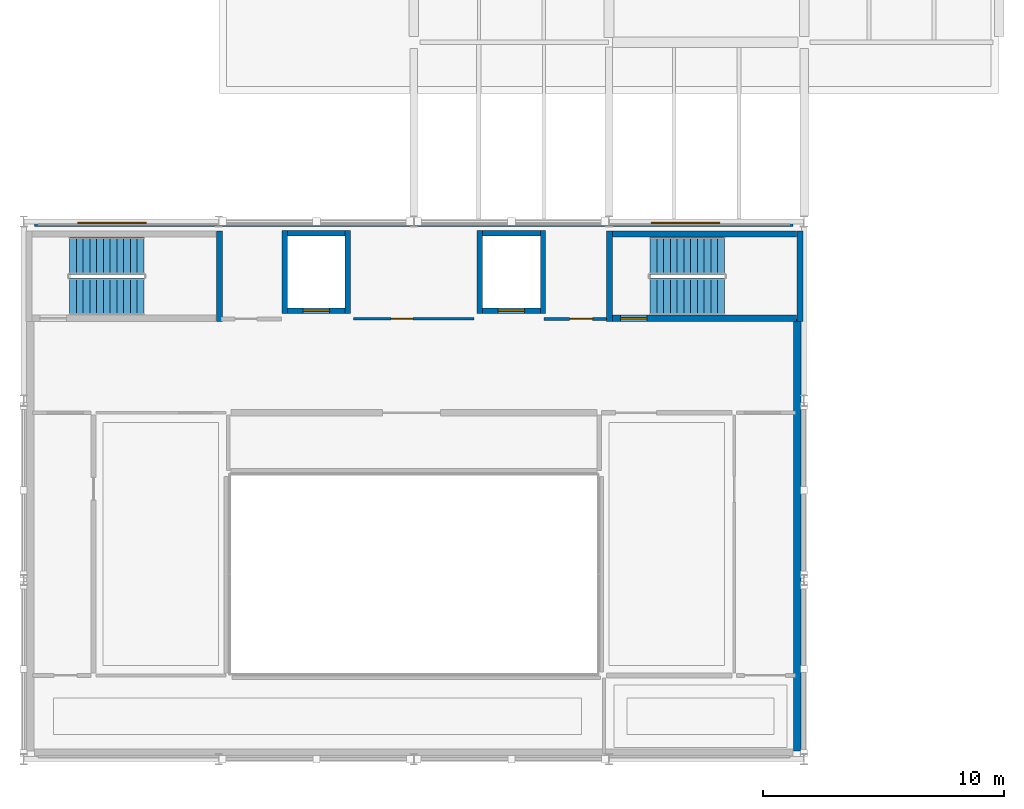
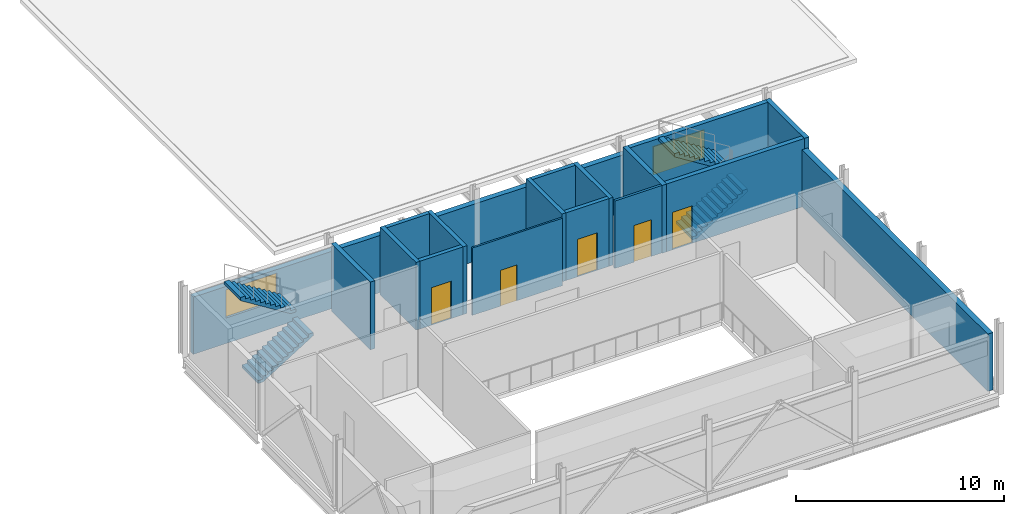
# One storey, part 4 of 7: 17 walls, 5 doors, 4 stair flights, 2 windows, 7 openings, 2 elements without a shape of their own.
"""IFC4 building model written with IfcOpenShell, lengths in metres."""

from ifc_helpers import new_model, si_unit, direction, frame, frame_2d, origin, place, context, subcontext, project, spatial, polyline, rectangle, outline, extrude, material, layer, layer_set, type_object, element, fill, aggregate, save


model = new_model("IFC4")

# Units and contexts
model_context = context("Model", 3, precision=1e-05, world=origin(), true_north=direction((0.0, 1.0)))
body_context = subcontext(model_context, "Body", "Model", "MODEL_VIEW")
ifc_project = project(units=[si_unit("LENGTHUNIT", "METRE"), si_unit("AREAUNIT", "SQUARE_METRE"), si_unit("VOLUMEUNIT", "CUBIC_METRE"), si_unit("PLANEANGLEUNIT", "RADIAN"), si_unit("MASSUNIT", "GRAM", prefix="KILO")], contexts=[model_context])

# Site, building, storey
site_placement = place(None, origin())
site = spatial("IfcSite", under=ifc_project, at=site_placement, CompositionType="ELEMENT")
building_placement = place(site_placement, origin())
building = spatial("IfcBuilding", under=site, at=building_placement, Name="Kaelora Sail Theatre", CompositionType="ELEMENT")
storey_placement = place(building_placement, frame((0.0, 0.0, 23.39990234375)))
storey = spatial("IfcBuildingStorey", under=building, at=storey_placement, Name="L05", CompositionType="ELEMENT", Elevation=23.39990234375)

# Wall
ifc_material_1 = material(Name="Concrete C40/50", Category="concrete")
ifc_layer_1 = layer(ifc_material_1, 0.25)
ifc_layer_set_1 = layer_set([ifc_layer_1], Name="Concrete C40/50")
wall_type_1 = type_object("IfcWallType", Name="ARC-WL-CW-250", PredefinedType="SHEAR", material=ifc_layer_set_1)
wall_1_placement = place(storey_placement, frame((33.925048828125, 79.199951171875, 0.0), z_axis=(0.0, 0.0, 1.0), x_axis=(0.0, 1.0, 0.0)))
element("IfcWall", 1, at=wall_1_placement, inside=storey, type_object=wall_type_1, Name="Stair shaft ST-K1 wall L05-E", PredefinedType="SHEAR", context=body_context, shape_type="SweptSolid", body=[
    extrude(rectangle(XDim=3.75, YDim=0.25, at=frame_2d((1.875, 0.0))), origin(), (0.0, 0.0, 1.0), 3.97998046875),
])

# Wall, opening, door
wall_2_placement = place(storey_placement, frame((50.2548828125, 79.324951171875, 0.0), z_axis=(0.0, 0.0, 1.0), x_axis=(1.0, 0.0, 0.0)))
wall_2 = element("IfcWall", 2, at=wall_2_placement, inside=storey, type_object=wall_type_1, Name="Stair shaft ST-K5 wall L05-S", PredefinedType="SHEAR", context=body_context, shape_type="SweptSolid", body=[
    extrude(rectangle(XDim=7.64013671875, YDim=0.25, at=frame_2d((3.820068359375, 0.0))), origin(), (0.0, 0.0, 1.0), 3.97998046875),
])
opening_1_placement = place(wall_2_placement, frame((0.320068359375, 0.0, 0.0)))
opening_1 = element("IfcOpeningElement", 3, at=opening_1_placement, cuts=wall_2, Name="Opening FD-02", PredefinedType="OPENING", context=body_context, shape_type="SweptSolid", body=[
    extrude(rectangle(XDim=1.10009765625, YDim=2.199951171875, at=frame_2d((0.550048828125, 1.10009765625))), frame((0.0, 0.135, 0.0), z_axis=(0.0, -1.0, 0.0), x_axis=(1.0, 0.0, 0.0)), (0.0, 0.0, 1.0), 0.27),
])
ifc_material_2 = material(Name="Acoustic steel single stair/lobby fire door EI 90-C", Category="steel")
door_type_1 = type_object("IfcDoorType", Name="ARC-DR-FD-02", OperationType="NOTDEFINED", PredefinedType="DOOR", material=ifc_material_2)
door_1_placement = place(opening_1_placement, origin())
door_1 = element("IfcDoor", 4, at=door_1_placement, inside=storey, type_object=door_type_1, Name="Stair ST-K5 door (L05)", OperationType="SINGLE_SWING_LEFT", OverallHeight=2.199951171875, OverallWidth=1.10009765625, PredefinedType="DOOR", context=body_context, shape_type="SweptSolid", body=[
    extrude(rectangle(XDim=1.10009765625, YDim=2.199951171875, at=frame_2d((0.550048828125, 1.10009765625))), frame((0.0, 0.02490234375, 0.0), z_axis=(0.0, -1.0, 0.0), x_axis=(1.0, 0.0, 0.0)), (0.0, 0.0, 1.0), 0.050048828125),
])
fill(opening_1, door_1)

# Walls
wall_3_placement = place(storey_placement, frame((50.2548828125, 82.824951171875, 0.0), z_axis=(0.0, 0.0, 1.0), x_axis=(1.0, 0.0, 0.0)))
element("IfcWall", 5, at=wall_3_placement, inside=storey, type_object=wall_type_1, Name="Stair shaft ST-K5 wall L05-N", PredefinedType="SHEAR", context=body_context, shape_type="SweptSolid", body=[
    extrude(rectangle(XDim=7.64013671875, YDim=0.25, at=frame_2d((3.820068359375, 0.0))), origin(), (0.0, 0.0, 1.0), 3.97998046875),
])
for number, where, z_axis, x_axis, name in (
    (6, (50.125, 79.199951171875, 0.0), (0.0, 0.0, 1.0), (0.0, 1.0, 0.0), "Stair shaft ST-K5 wall L05-W"),
    (7, (58.02490234375, 79.199951171875, 0.0), (0.0, 0.0, 1.0), (0.0, 1.0, 0.0), "Stair shaft ST-K5 wall L05-E"),
):
    element("IfcWall", number, at=place(storey_placement, frame(where, z_axis=z_axis, x_axis=x_axis)), inside=storey, type_object=wall_type_1, Name=name, PredefinedType="SHEAR", context=body_context, shape_type="SweptSolid", body=[
        extrude(rectangle(XDim=3.75, YDim=0.25, at=frame_2d((1.875, 0.0))), origin(), (0.0, 0.0, 1.0), 3.97998046875),
    ])
ifc_material_3 = material(Name="Concrete C40/50", Category="concrete")
ifc_layer_2 = layer(ifc_material_3, 0.300048828125)
ifc_layer_set_2 = layer_set([ifc_layer_2], Name="Concrete C40/50")
wall_type_2 = type_object("IfcWallType", Name="ARC-WL-EW-300", PredefinedType="SOLIDWALL", material=ifc_layer_set_2)
wall_4_placement = place(storey_placement, frame((57.919921875, 61.35009765625, 0.0), z_axis=(0.0, 0.0, 1.0), x_axis=(0.0, 1.0, 0.0)))
element("IfcWall", 8, at=wall_4_placement, inside=storey, type_object=wall_type_2, Name="Fly Tower East Acoustic Stage-House Wall (L05)", PredefinedType="SOLIDWALL", context=body_context, shape_type="SweptSolid", body=[
    extrude(rectangle(XDim=17.949951171875, YDim=0.300048828125, at=frame_2d((8.97509765625, 0.0))), origin(), (0.0, 0.0, 1.0), 3.360107421875),
])

# Wall, openings, windows
wall_5_placement = place(storey_placement, frame((26.25, 83.280029296875, 0.0), z_axis=(0.0, 0.0, 1.0), x_axis=(1.0, 0.0, 0.0)))
wall_5 = element("IfcWall", 9, at=wall_5_placement, inside=storey, type_object=wall_type_2, Name="Fly Tower North Stage-House Wall (L05)", PredefinedType="SOLIDWALL", context=body_context, shape_type="SweptSolid", body=[
    extrude(rectangle(XDim=31.5, YDim=0.300048828125, at=frame_2d((15.75, 0.0))), origin(), (0.0, 0.0, 1.0), 3.360107421875),
])
opening_2_placement = place(wall_5_placement, frame((1.800048828125, 0.0, 1.5)))
opening_2 = element("IfcOpeningElement", 10, at=opening_2_placement, cuts=wall_5, Name="Opening W-20", PredefinedType="OPENING", context=body_context, shape_type="SweptSolid", body=[
    extrude(rectangle(XDim=2.85009765625, YDim=1.64990234375, at=frame_2d((1.425048828125, 0.824951171875))), frame((0.0, 0.159902, 0.0), z_axis=(0.0, -1.0, 0.0), x_axis=(1.0, 0.0, 0.0)), (0.0, 0.0, 1.0), 0.320049),
])
opening_3_placement = place(wall_5_placement, frame((25.60009765625, 0.0, 1.5)))
opening_3 = element("IfcOpeningElement", 11, at=opening_3_placement, cuts=wall_5, Name="Opening W-20", PredefinedType="OPENING", context=body_context, shape_type="SweptSolid", body=[
    extrude(rectangle(XDim=2.85009765625, YDim=1.64990234375, at=frame_2d((1.425048828125, 0.824951171875))), frame((0.0, 0.159902, 0.0), z_axis=(0.0, -1.0, 0.0), x_axis=(1.0, 0.0, 0.0)), (0.0, 0.0, 1.0), 0.320049),
])
ifc_material_4 = material(Name="Thermally broken aluminium and low-E double glazing", Category="aluminium")
window_type = type_object("IfcWindowType", Name="ARC-WIN-W-20", PartitioningType="SINGLE_PANEL", PredefinedType="WINDOW", material=ifc_material_4)
window_1_placement = place(opening_2_placement, origin())
window_1 = element("IfcWindow", 12, at=window_1_placement, inside=storey, type_object=window_type, Name="Stage-House North Clerestory L05-1", OverallHeight=1.64990234375, OverallWidth=2.85009765625, PartitioningType="SINGLE_PANEL", PredefinedType="WINDOW", context=body_context, shape_type="SweptSolid", body=[
    extrude(rectangle(XDim=2.85009765625, YDim=1.64990234375, at=frame_2d((1.425048828125, 0.824951171875))), frame((0.0, 0.030029296875, 0.0), z_axis=(0.0, -1.0, 0.0), x_axis=(1.0, 0.0, 0.0)), (0.0, 0.0, 1.0), 0.06005859375),
])
fill(opening_2, window_1)
window_2_placement = place(opening_3_placement, origin())
window_2 = element("IfcWindow", 13, at=window_2_placement, inside=storey, type_object=window_type, Name="Stage-House North Clerestory L05-2", OverallHeight=1.64990234375, OverallWidth=2.85009765625, PartitioningType="SINGLE_PANEL", PredefinedType="WINDOW", context=body_context, shape_type="SweptSolid", body=[
    extrude(rectangle(XDim=2.85009765625, YDim=1.64990234375, at=frame_2d((1.425048828125, 0.824951171875))), frame((0.0, 0.030029296875, 0.0), z_axis=(0.0, -1.0, 0.0), x_axis=(1.0, 0.0, 0.0)), (0.0, 0.0, 1.0), 0.06005859375),
])
fill(opening_3, window_2)

# Wall, opening, door
ifc_material_5 = material(Name="Sanitary moisture-resistant partition 100 mm", Category="gypsum")
ifc_layer_3 = layer(ifc_material_5, 0.10009765625)
ifc_layer_set_3 = layer_set([ifc_layer_3], Name="Sanitary moisture-resistant partition 100 mm")
wall_type_3 = type_object("IfcWallType", Name="ARC-WL-PT-100", PredefinedType="PARTITIONING", material=ifc_layer_set_3)
wall_6_placement = place(storey_placement, frame((39.5, 79.300048828125, 0.0), z_axis=(0.0, 0.0, 1.0), x_axis=(1.0, 0.0, 0.0)))
wall_6 = element("IfcWall", 14, at=wall_6_placement, inside=storey, type_object=wall_type_3, Name="Interior acoustic partition L05-COR-FLY/L05-WC-ACC", PredefinedType="PARTITIONING", context=body_context, shape_type="SweptSolid", body=[
    extrude(rectangle(XDim=5.0, YDim=0.10009765625, at=frame_2d((2.5, 0.0))), origin(), (0.0, 0.0, 1.0), 3.960205078125),
])
opening_4_placement = place(wall_6_placement, frame((1.56005859375, 0.0, 0.0)))
opening_4 = element("IfcOpeningElement", 15, at=opening_4_placement, cuts=wall_6, Name="Opening ID-03", PredefinedType="OPENING", context=body_context, shape_type="SweptSolid", body=[
    extrude(rectangle(XDim=0.89990234375, YDim=2.10009765625, at=frame_2d((0.449951171875, 1.050048828125))), frame((0.0, 0.060049, 0.0), z_axis=(0.0, -1.0, 0.0), x_axis=(1.0, 0.0, 0.0)), (0.0, 0.0, 1.0), 0.120098),
])
ifc_material_6 = material(Name="Accessible sanitary laminate door", Category="timber")
door_type_2 = type_object("IfcDoorType", Name="ARC-DR-ID-03", OperationType="NOTDEFINED", PredefinedType="DOOR", material=ifc_material_6)
door_2_placement = place(opening_4_placement, origin())
door_2 = element("IfcDoor", 16, at=door_2_placement, inside=storey, type_object=door_type_2, Name="Interior door L05-COR-FLY to L05-WC-ACC", OperationType="SINGLE_SWING_LEFT", OverallHeight=2.10009765625, OverallWidth=0.89990234375, PredefinedType="DOOR", context=body_context, shape_type="SweptSolid", body=[
    extrude(rectangle(XDim=0.89990234375, YDim=2.10009765625, at=frame_2d((0.449951171875, 1.050048828125))), frame((0.0, 0.02490234375, 0.0), z_axis=(0.0, -1.0, 0.0), x_axis=(1.0, 0.0, 0.0)), (0.0, 0.0, 1.0), 0.050048828125),
])
fill(opening_4, door_2)

ifc_material_7 = material(Name="Dressing room acoustic partition 130 mm", Category="gypsum")
ifc_layer_4 = layer(ifc_material_7, 0.1298828125)
ifc_layer_set_4 = layer_set([ifc_layer_4], Name="Dressing room acoustic partition 130 mm")
wall_type_4 = type_object("IfcWallType", Name="ARC-WL-PT-130", PredefinedType="PARTITIONING", material=ifc_layer_set_4)
wall_7_placement = place(storey_placement, frame((47.39990234375, 79.300048828125, 0.0), z_axis=(0.0, 0.0, 1.0), x_axis=(1.0, 0.0, 0.0)))
wall_7 = element("IfcWall", 17, at=wall_7_placement, inside=storey, type_object=wall_type_4, Name="Interior acoustic partition L05-COR-FLY/L05-ARC-STO", PredefinedType="PARTITIONING", context=body_context, shape_type="SweptSolid", body=[
    extrude(rectangle(XDim=2.60009765625, YDim=0.1298828125, at=frame_2d((1.300048828125, 0.0))), origin(), (0.0, 0.0, 1.0), 3.960205078125),
])
opening_5_placement = place(wall_7_placement, frame((1.070068359375, 0.0, 0.0)))
opening_5 = element("IfcOpeningElement", 18, at=opening_5_placement, cuts=wall_7, Name="Opening ID-02", PredefinedType="OPENING", context=body_context, shape_type="SweptSolid", body=[
    extrude(rectangle(XDim=0.949951171875, YDim=2.14990234375, at=frame_2d((0.47509765625, 1.074951171875))), frame((0.0, 0.074941, 0.0), z_axis=(0.0, -1.0, 0.0), x_axis=(1.0, 0.0, 0.0)), (0.0, 0.0, 1.0), 0.149883),
])
ifc_material_8 = material(Name="Timber dressing and office single door", Category="wood")
door_type_3 = type_object("IfcDoorType", Name="ARC-DR-ID-02", OperationType="NOTDEFINED", PredefinedType="DOOR", material=ifc_material_8)
door_3_placement = place(opening_5_placement, origin())
door_3 = element("IfcDoor", 19, at=door_3_placement, inside=storey, type_object=door_type_3, Name="Interior door L05-COR-FLY to L05-ARC-STO", OperationType="SINGLE_SWING_LEFT", OverallHeight=2.14990234375, OverallWidth=0.949951171875, PredefinedType="DOOR", context=body_context, shape_type="SweptSolid", body=[
    extrude(rectangle(XDim=0.949951171875, YDim=2.14990234375, at=frame_2d((0.47509765625, 1.074951171875))), frame((0.0, 0.02490234375, 0.0), z_axis=(0.0, -1.0, 0.0), x_axis=(1.0, 0.0, 0.0)), (0.0, 0.0, 1.0), 0.050048828125),
])
fill(opening_5, door_3)

ifc_material_9 = material(Name="Concrete C40/50", Category="concrete")
ifc_layer_5 = layer(ifc_material_9, 0.219970703125)
ifc_layer_set_5 = layer_set([ifc_layer_5], Name="Concrete C40/50")
wall_type_5 = type_object("IfcWallType", Name="ARC-WL-SW-220", PredefinedType="SOLIDWALL", material=ifc_layer_set_5)
wall_8_placement = place(storey_placement, frame((36.75, 79.639892578125, 0.0), z_axis=(0.0, 0.0, 1.0), x_axis=(1.0, 0.0, 0.0)))
wall_8 = element("IfcWall", 20, at=wall_8_placement, inside=storey, type_object=wall_type_5, Name="Lift FFL-01 shaft wall L05-S", PredefinedType="SOLIDWALL", context=body_context, shape_type="SweptSolid", body=[
    extrude(rectangle(XDim=2.39990234375, YDim=0.219970703125, at=frame_2d((1.199951171875, 0.0))), origin(), (0.0, 0.0, 1.0), 3.97998046875),
])
opening_6_placement = place(wall_8_placement, frame((0.64990234375, 0.0, 0.0)))
opening_6 = element("IfcOpeningElement", 21, at=opening_6_placement, cuts=wall_8, Name="Opening LD-FFL", PredefinedType="OPENING", context=body_context, shape_type="SweptSolid", body=[
    extrude(rectangle(XDim=1.10009765625, YDim=2.199951171875, at=frame_2d((0.550048828125, 1.10009765625))), frame((0.0, 0.119863, 0.0), z_axis=(0.0, -1.0, 0.0), x_axis=(1.0, 0.0, 0.0)), (0.0, 0.0, 1.0), 0.239971),
])
ifc_material_10 = material(Name="Stainless steel firefighting lift landing door EI 120", Category="steel")
door_type_4 = type_object("IfcDoorType", Name="ARC-DR-LD-FFL", OperationType="NOTDEFINED", PredefinedType="DOOR", material=ifc_material_10)
door_4_placement = place(opening_6_placement, origin())
door_4 = element("IfcDoor", 22, at=door_4_placement, inside=storey, type_object=door_type_4, Name="Lift FFL-01 sliding landing door (L05)", OperationType="SLIDING_TO_LEFT", OverallHeight=2.199951171875, OverallWidth=1.10009765625, PredefinedType="DOOR", context=body_context, shape_type="SweptSolid", body=[
    extrude(rectangle(XDim=1.10009765625, YDim=2.199951171875, at=frame_2d((0.550048828125, 1.10009765625))), frame((0.0, 0.02490234375, 0.0), z_axis=(0.0, -1.0, 0.0), x_axis=(1.0, 0.0, 0.0)), (0.0, 0.0, 1.0), 0.050048828125),
])
fill(opening_6, door_4)

# Walls
wall_9_placement = place(storey_placement, frame((36.75, 82.860107421875, 0.0), z_axis=(0.0, 0.0, 1.0), x_axis=(1.0, 0.0, 0.0)))
element("IfcWall", 23, at=wall_9_placement, inside=storey, type_object=wall_type_5, Name="Lift FFL-01 shaft wall L05-N", PredefinedType="SOLIDWALL", context=body_context, shape_type="SweptSolid", body=[
    extrude(rectangle(XDim=2.39990234375, YDim=0.219970703125, at=frame_2d((1.199951171875, 0.0))), origin(), (0.0, 0.0, 1.0), 3.97998046875),
])
for number, where, z_axis, x_axis, name in (
    (24, (36.639892578125, 79.530029296875, 0.0), (0.0, 0.0, 1.0), (0.0, 1.0, 0.0), "Lift FFL-01 shaft wall L05-W"),
    (25, (39.260009765625, 79.530029296875, 0.0), (0.0, 0.0, 1.0), (0.0, 1.0, 0.0), "Lift FFL-01 shaft wall L05-E"),
):
    element("IfcWall", number, at=place(storey_placement, frame(where, z_axis=z_axis, x_axis=x_axis)), inside=storey, type_object=wall_type_5, Name=name, PredefinedType="SOLIDWALL", context=body_context, shape_type="SweptSolid", body=[
        extrude(rectangle(XDim=3.43994140625, YDim=0.219970703125, at=frame_2d((1.719970703125, 0.0))), origin(), (0.0, 0.0, 1.0), 3.97998046875),
    ])

# Wall, opening, door
wall_10_placement = place(storey_placement, frame((44.85009765625, 79.639892578125, 0.0), z_axis=(0.0, 0.0, 1.0), x_axis=(1.0, 0.0, 0.0)))
wall_10 = element("IfcWall", 26, at=wall_10_placement, inside=storey, type_object=wall_type_5, Name="Lift FFL-02 shaft wall L05-S", PredefinedType="SOLIDWALL", context=body_context, shape_type="SweptSolid", body=[
    extrude(rectangle(XDim=2.39990234375, YDim=0.219970703125, at=frame_2d((1.199951171875, 0.0))), origin(), (0.0, 0.0, 1.0), 3.97998046875),
])
opening_7_placement = place(wall_10_placement, frame((0.64990234375, 0.0, 0.0)))
opening_7 = element("IfcOpeningElement", 27, at=opening_7_placement, cuts=wall_10, Name="Opening LD-FFL", PredefinedType="OPENING", context=body_context, shape_type="SweptSolid", body=[
    extrude(rectangle(XDim=1.10009765625, YDim=2.199951171875, at=frame_2d((0.550048828125, 1.10009765625))), frame((0.0, 0.119863, 0.0), z_axis=(0.0, -1.0, 0.0), x_axis=(1.0, 0.0, 0.0)), (0.0, 0.0, 1.0), 0.239971),
])
door_5_placement = place(opening_7_placement, origin())
door_5 = element("IfcDoor", 28, at=door_5_placement, inside=storey, type_object=door_type_4, Name="Lift FFL-02 sliding landing door (L05)", OperationType="SLIDING_TO_LEFT", OverallHeight=2.199951171875, OverallWidth=1.10009765625, PredefinedType="DOOR", context=body_context, shape_type="SweptSolid", body=[
    extrude(rectangle(XDim=1.10009765625, YDim=2.199951171875, at=frame_2d((0.550048828125, 1.10009765625))), frame((0.0, 0.02490234375, 0.0), z_axis=(0.0, -1.0, 0.0), x_axis=(1.0, 0.0, 0.0)), (0.0, 0.0, 1.0), 0.050048828125),
])
fill(opening_7, door_5)

# Walls
wall_11_placement = place(storey_placement, frame((44.85009765625, 82.860107421875, 0.0), z_axis=(0.0, 0.0, 1.0), x_axis=(1.0, 0.0, 0.0)))
element("IfcWall", 29, at=wall_11_placement, inside=storey, type_object=wall_type_5, Name="Lift FFL-02 shaft wall L05-N", PredefinedType="SOLIDWALL", context=body_context, shape_type="SweptSolid", body=[
    extrude(rectangle(XDim=2.39990234375, YDim=0.219970703125, at=frame_2d((1.199951171875, 0.0))), origin(), (0.0, 0.0, 1.0), 3.97998046875),
])
for number, where, z_axis, x_axis, name in (
    (30, (44.739990234375, 79.530029296875, 0.0), (0.0, 0.0, 1.0), (0.0, 1.0, 0.0), "Lift FFL-02 shaft wall L05-W"),
    (31, (47.360107421875, 79.530029296875, 0.0), (0.0, 0.0, 1.0), (0.0, 1.0, 0.0), "Lift FFL-02 shaft wall L05-E"),
):
    element("IfcWall", number, at=place(storey_placement, frame(where, z_axis=z_axis, x_axis=x_axis)), inside=storey, type_object=wall_type_5, Name=name, PredefinedType="SOLIDWALL", context=body_context, shape_type="SweptSolid", body=[
        extrude(rectangle(XDim=3.43994140625, YDim=0.219970703125, at=frame_2d((1.719970703125, 0.0))), origin(), (0.0, 0.0, 1.0), 3.97998046875),
    ])

# Stair, stair flights
ifc_material_11 = material(Name="Concrete C40/50", Category="concrete")
stair_type = type_object("IfcStairType", Name="ARC-ST-ESC150", PredefinedType="HALF_TURN_STAIR", material=ifc_material_11)
stair_1_placement = place(storey_placement, origin())
stair_1 = element("IfcStair", 32, at=stair_1_placement, inside=storey, type_object=stair_type, Name="L05 ST-K1", PredefinedType="HALF_TURN_STAIR")
ifc_material_12 = material(Name="Concrete C40/50", Category="concrete")
stair_flight_type = type_object("IfcStairFlightType", Name="ARC-SF-150", PredefinedType="STRAIGHT", material=ifc_material_12)
stair_flight_1_placement = place(storey_placement, frame((27.7099609375, 80.22509765625, 0.0), z_axis=(0.0, 0.0, 1.0), x_axis=(1.0, 0.0, 0.0)))
stair_flight_1 = element("IfcStairFlight", 33, at=stair_flight_1_placement, type_object=stair_flight_type, Name="ST-K1 flight 1", NumberOfRisers=12, NumberOfTreads=11, PredefinedType="STRAIGHT", RiserHeight=0.175, TreadLength=0.28, context=body_context, shape_type="SweptSolid", body=[
    extrude(outline(polyline([(0.0, 0.0), (0.0, 0.175048828125), (0.280029296875, 0.175048828125), (0.280029296875, 0.35009765625), (0.56005859375, 0.35009765625), (0.56005859375, 0.52490234375), (0.840087890625, 0.52490234375), (0.840087890625, 0.699951171875), (1.1201171875, 0.699951171875), (1.1201171875, 0.875), (1.39990234375, 0.875), (1.39990234375, 1.050048828125), (1.679931640625, 1.050048828125), (1.679931640625, 1.22509765625), (1.9599609375, 1.22509765625), (1.9599609375, 1.39990234375), (2.239990234375, 1.39990234375), (2.239990234375, 1.574951171875), (2.52001953125, 1.574951171875), (2.52001953125, 1.75), (2.800048828125, 1.75), (2.800048828125, 1.925048828125), (3.080078125, 1.925048828125), (3.080078125, 2.10009765625), (3.080078125, 1.748291015625), (0.28271484375, 0.0), (0.0, 0.0)])), frame((0.0, 0.77490234375, 0.0), z_axis=(0.0, -1.0, 0.0), x_axis=(1.0, 0.0, 0.0)), (0.0, 0.0, 1.0), 1.550048828125),
])
stair_flight_2_placement = place(storey_placement, frame((30.7900390625, 81.925048828125, 2.10009765625), z_axis=(0.0, 0.0, 1.0), x_axis=(-1.0, 0.0, 0.0)))
stair_flight_2 = element("IfcStairFlight", 34, at=stair_flight_2_placement, type_object=stair_flight_type, Name="ST-K1 flight 2", NumberOfRisers=12, NumberOfTreads=11, PredefinedType="STRAIGHT", RiserHeight=0.175, TreadLength=0.28, context=body_context, shape_type="SweptSolid", body=[
    extrude(outline(polyline([(0.0, 0.0), (0.0, 0.175048828125), (0.280029296875, 0.175048828125), (0.280029296875, 0.35009765625), (0.56005859375, 0.35009765625), (0.56005859375, 0.52490234375), (0.840087890625, 0.52490234375), (0.840087890625, 0.699951171875), (1.1201171875, 0.699951171875), (1.1201171875, 0.875), (1.39990234375, 0.875), (1.39990234375, 1.050048828125), (1.679931640625, 1.050048828125), (1.679931640625, 1.22509765625), (1.9599609375, 1.22509765625), (1.9599609375, 1.39990234375), (2.239990234375, 1.39990234375), (2.239990234375, 1.574951171875), (2.52001953125, 1.574951171875), (2.52001953125, 1.75), (2.800048828125, 1.75), (2.800048828125, 1.925048828125), (3.080078125, 1.925048828125), (3.080078125, 2.10009765625), (3.080078125, 1.748291015625), (0.28271484375, 0.0), (0.0, 0.0)])), frame((0.0, 0.77490234375, 0.0), z_axis=(0.0, -1.0, 0.0), x_axis=(1.0, 0.0, 0.0)), (0.0, 0.0, 1.0), 1.550048828125),
])
aggregate(stair_1, [stair_flight_1, stair_flight_2])

stair_2_placement = place(storey_placement, origin())
stair_2 = element("IfcStair", 35, at=stair_2_placement, inside=storey, type_object=stair_type, Name="L05 ST-K5", PredefinedType="HALF_TURN_STAIR")
stair_flight_3_placement = place(storey_placement, frame((51.81005859375, 80.22509765625, 0.0), z_axis=(0.0, 0.0, 1.0), x_axis=(1.0, 0.0, 0.0)))
stair_flight_3 = element("IfcStairFlight", 36, at=stair_flight_3_placement, type_object=stair_flight_type, Name="ST-K5 flight 1", NumberOfRisers=12, NumberOfTreads=11, PredefinedType="STRAIGHT", RiserHeight=0.175, TreadLength=0.28, context=body_context, shape_type="SweptSolid", body=[
    extrude(outline(polyline([(0.0, 0.0), (0.0, 0.175048828125), (0.280029296875, 0.175048828125), (0.280029296875, 0.35009765625), (0.56005859375, 0.35009765625), (0.56005859375, 0.52490234375), (0.840087890625, 0.52490234375), (0.840087890625, 0.699951171875), (1.1201171875, 0.699951171875), (1.1201171875, 0.875), (1.39990234375, 0.875), (1.39990234375, 1.050048828125), (1.679931640625, 1.050048828125), (1.679931640625, 1.22509765625), (1.9599609375, 1.22509765625), (1.9599609375, 1.39990234375), (2.239990234375, 1.39990234375), (2.239990234375, 1.574951171875), (2.52001953125, 1.574951171875), (2.52001953125, 1.75), (2.800048828125, 1.75), (2.800048828125, 1.925048828125), (3.080078125, 1.925048828125), (3.080078125, 2.10009765625), (3.080078125, 1.748291015625), (0.28271484375, 0.0), (0.0, 0.0)])), frame((0.0, 0.77490234375, 0.0), z_axis=(0.0, -1.0, 0.0), x_axis=(1.0, 0.0, 0.0)), (0.0, 0.0, 1.0), 1.550048828125),
])
stair_flight_4_placement = place(storey_placement, frame((54.889892578125, 81.925048828125, 2.10009765625), z_axis=(0.0, 0.0, 1.0), x_axis=(-1.0, 0.0, 0.0)))
stair_flight_4 = element("IfcStairFlight", 37, at=stair_flight_4_placement, type_object=stair_flight_type, Name="ST-K5 flight 2", NumberOfRisers=12, NumberOfTreads=11, PredefinedType="STRAIGHT", RiserHeight=0.175, TreadLength=0.28, context=body_context, shape_type="SweptSolid", body=[
    extrude(outline(polyline([(0.0, 0.0), (0.0, 0.175048828125), (0.280029296875, 0.175048828125), (0.280029296875, 0.35009765625), (0.56005859375, 0.35009765625), (0.56005859375, 0.52490234375), (0.840087890625, 0.52490234375), (0.840087890625, 0.699951171875), (1.1201171875, 0.699951171875), (1.1201171875, 0.875), (1.39990234375, 0.875), (1.39990234375, 1.050048828125), (1.679931640625, 1.050048828125), (1.679931640625, 1.22509765625), (1.9599609375, 1.22509765625), (1.9599609375, 1.39990234375), (2.239990234375, 1.39990234375), (2.239990234375, 1.574951171875), (2.52001953125, 1.574951171875), (2.52001953125, 1.75), (2.800048828125, 1.75), (2.800048828125, 1.925048828125), (3.080078125, 1.925048828125), (3.080078125, 2.10009765625), (3.080078125, 1.748291015625), (0.28271484375, 0.0), (0.0, 0.0)])), frame((0.0, 0.77490234375, 0.0), z_axis=(0.0, -1.0, 0.0), x_axis=(1.0, 0.0, 0.0)), (0.0, 0.0, 1.0), 1.550048828125),
])
aggregate(stair_2, [stair_flight_3, stair_flight_4])

save(model, "model.ifc")
